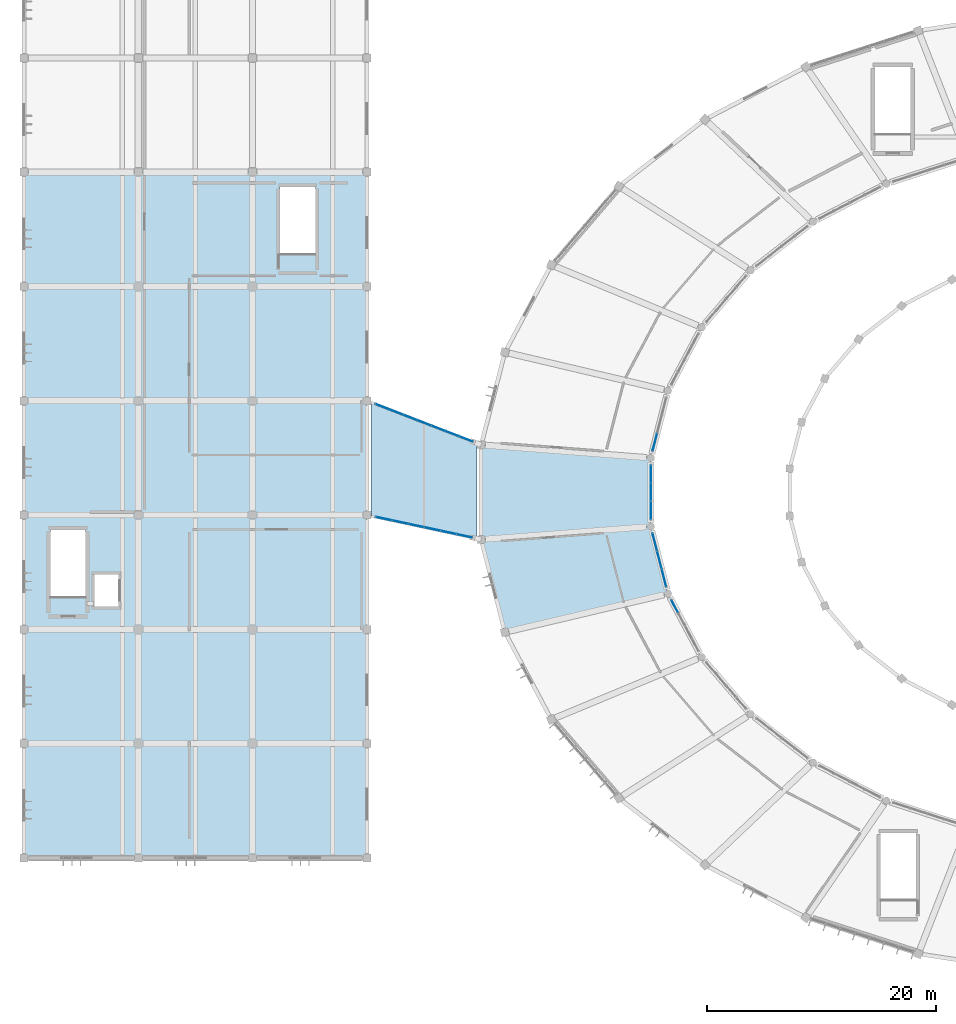
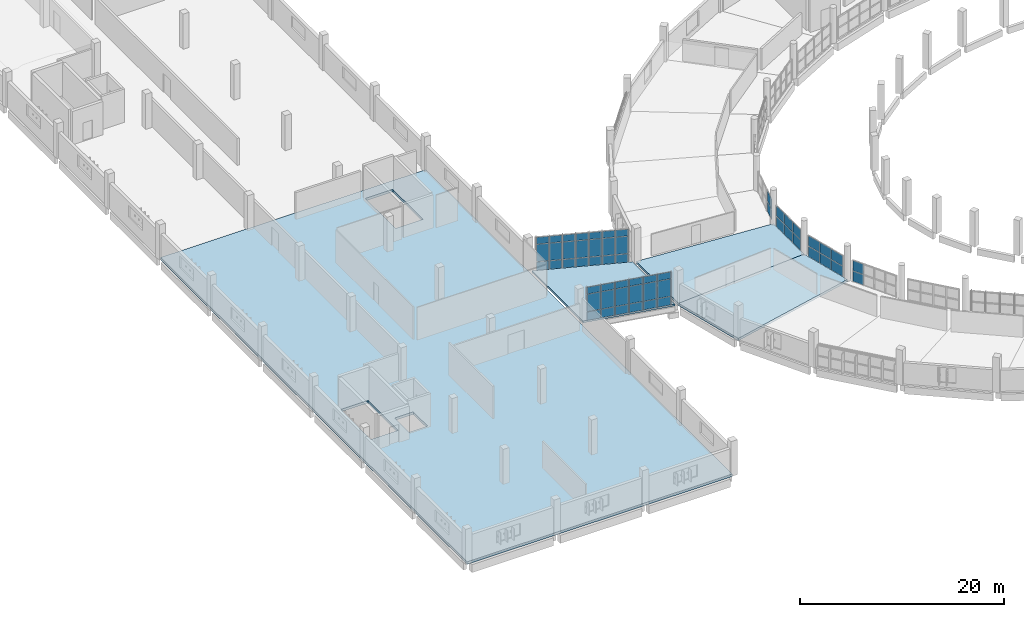
# One storey, part 74 of 142: 55 plates, 4 slabs, 6 elements without a shape of their own.
"""IFC4 building model written with IfcOpenShell, lengths in metres."""

from ifc_helpers import new_model, si_unit, direction, frame, origin, origin_2d, place, context, subcontext, project, spatial, polyline, rectangle, outline, extrude, material, layer, layer_set, type_object, element, aggregate, save


model = new_model("IFC4")

# Units and contexts
model_context = context("Model", 3, precision=1e-05, world=origin(), true_north=direction((0.0, 1.0)))
body_context = subcontext(model_context, "Body", "Model", "MODEL_VIEW")
ifc_project = project(units=[si_unit("LENGTHUNIT", "METRE"), si_unit("AREAUNIT", "SQUARE_METRE"), si_unit("VOLUMEUNIT", "CUBIC_METRE"), si_unit("PLANEANGLEUNIT", "RADIAN"), si_unit("MASSUNIT", "GRAM", prefix="KILO")], contexts=[model_context])

# Site, building, storey
site_placement = place(None, origin())
site = spatial("IfcSite", under=ifc_project, at=site_placement, CompositionType="ELEMENT")
building_placement = place(site_placement, origin())
building = spatial("IfcBuilding", under=site, at=building_placement, Name="Corvandel Quay Wholesale Market", CompositionType="ELEMENT")
storey_placement = place(building_placement, frame((0.0, 0.0, 10.800048828125)))
storey = spatial("IfcBuildingStorey", under=building, at=storey_placement, Name="L02", CompositionType="ELEMENT", Elevation=10.800048828125)

# Curtain wall, plates
ifc_material_1 = material(Name="Bronze anodised aluminium and low-E insulated glazing", Category="aluminium")
ifc_layer_1 = layer(ifc_material_1, 0.162109375)
ifc_layer_set_1 = layer_set([ifc_layer_1], Name="Bronze anodised aluminium and low-E insulated glazing")
curtain_wall_type_1 = type_object("IfcCurtainWallType", Name="Stick Curtain Wall System CW21 H4890", PredefinedType="NOTDEFINED", material=ifc_layer_set_1)
curtain_wall_1_placement = place(storey_placement, origin())
curtain_wall_1 = element("IfcCurtainWall", 1, at=curtain_wall_1_placement, inside=storey, type_object=curtain_wall_type_1, Name="Curtain Wall CW-0174", PredefinedType="NOTDEFINED")
ifc_material_2 = material(Name="Solar-control low-E insulated glazing", Category="glass")
ifc_layer_2 = layer(ifc_material_2, 0.0400390625)
ifc_layer_set_2 = layer_set([ifc_layer_2], Name="Solar-control low-E insulated glazing")
plate_type_1 = type_object("IfcPlateType", Name="Ceramic Fritted Spandrel Panel PN03 40mm", PredefinedType="CURTAIN_PANEL", material=ifc_layer_set_2)
plate_1_placement = place(storey_placement, frame((51.47900390625, 39.683837890625, 3.1474609375), z_axis=(0.0, 0.0, 1.0), x_axis=(-0.977929339831, 0.208935890402, 0.0)))
plate_1 = element("IfcPlate", 2, at=plate_1_placement, type_object=plate_type_1, Name="Glazing Panel CW-0174-P00-2", PredefinedType="CURTAIN_PANEL", context=body_context, shape_type="SweptSolid", body=[
    extrude(rectangle(XDim=1.38525390625, YDim=0.0400390625, at=origin_2d()), origin(), (0.0, 0.0, 1.0), 0.794921875),
])
plate_2_placement = place(storey_placement, frame((52.892333984375, 39.3818359375, 3.1474609375), z_axis=(0.0, 0.0, 1.0), x_axis=(-0.977929339831, 0.208935890402, 0.0)))
plate_2 = element("IfcPlate", 3, at=plate_2_placement, type_object=plate_type_1, Name="Glazing Panel CW-0174-P01-2", PredefinedType="CURTAIN_PANEL", context=body_context, shape_type="SweptSolid", body=[
    extrude(rectangle(XDim=1.38525390625, YDim=0.0400390625, at=origin_2d()), origin(), (0.0, 0.0, 1.0), 0.794921875),
])
plate_3_placement = place(storey_placement, frame((54.3056640625, 39.079833984375, 3.1474609375), z_axis=(0.0, 0.0, 1.0), x_axis=(-0.977929339831, 0.208935890402, 0.0)))
plate_3 = element("IfcPlate", 4, at=plate_3_placement, type_object=plate_type_1, Name="Glazing Panel CW-0174-P02-2", PredefinedType="CURTAIN_PANEL", context=body_context, shape_type="SweptSolid", body=[
    extrude(rectangle(XDim=1.38525390625, YDim=0.0400390625, at=origin_2d()), origin(), (0.0, 0.0, 1.0), 0.794921875),
])
plate_4_placement = place(storey_placement, frame((55.718994140625, 38.77783203125, 3.1474609375), z_axis=(0.0, 0.0, 1.0), x_axis=(-0.977929339831, 0.208935890402, 0.0)))
plate_4 = element("IfcPlate", 5, at=plate_4_placement, type_object=plate_type_1, Name="Glazing Panel CW-0174-P03-2", PredefinedType="CURTAIN_PANEL", context=body_context, shape_type="SweptSolid", body=[
    extrude(rectangle(XDim=1.38525390625, YDim=0.0400390625, at=origin_2d()), origin(), (0.0, 0.0, 1.0), 0.794921875),
])
plate_5_placement = place(storey_placement, frame((57.132080078125, 38.475830078125, 3.1474609375), z_axis=(0.0, 0.0, 1.0), x_axis=(-0.977929339831, 0.208935890402, 0.0)))
plate_5 = element("IfcPlate", 6, at=plate_5_placement, type_object=plate_type_1, Name="Glazing Panel CW-0174-P04-2", PredefinedType="CURTAIN_PANEL", context=body_context, shape_type="SweptSolid", body=[
    extrude(rectangle(XDim=1.38525390625, YDim=0.0400390625, at=origin_2d()), origin(), (0.0, 0.0, 1.0), 0.794921875),
])
plate_6_placement = place(storey_placement, frame((58.54541015625, 38.173828125, 3.1474609375), z_axis=(0.0, 0.0, 1.0), x_axis=(-0.977929339831, 0.208935890402, 0.0)))
plate_6 = element("IfcPlate", 7, at=plate_6_placement, type_object=plate_type_1, Name="Glazing Panel CW-0174-P05-2", PredefinedType="CURTAIN_PANEL", context=body_context, shape_type="SweptSolid", body=[
    extrude(rectangle(XDim=1.38525390625, YDim=0.0400390625, at=origin_2d()), origin(), (0.0, 0.0, 1.0), 0.794921875),
])

ifc_layer_3 = layer(ifc_material_1, 0.174072265625)
ifc_layer_set_3 = layer_set([ifc_layer_3], Name="Bronze anodised aluminium and low-E insulated glazing")
curtain_wall_type_2 = type_object("IfcCurtainWallType", Name="Stick Curtain Wall System CW22 H4980", PredefinedType="NOTDEFINED", material=ifc_layer_set_3)
curtain_wall_2_placement = place(storey_placement, origin())
curtain_wall_2 = element("IfcCurtainWall", 8, at=curtain_wall_2_placement, inside=storey, type_object=curtain_wall_type_2, Name="Curtain Wall CW-0175", PredefinedType="NOTDEFINED")
plate_7_placement = place(storey_placement, frame((51.34765625, 49.4794921875, 3.1474609375), z_axis=(0.0, 0.0, 1.0), x_axis=(-0.932827815397, 0.3603224484, 0.0)))
plate_7 = element("IfcPlate", 9, at=plate_7_placement, type_object=plate_type_1, Name="Glazing Panel CW-0175-P00-2", PredefinedType="CURTAIN_PANEL", context=body_context, shape_type="SweptSolid", body=[
    extrude(rectangle(XDim=1.249267578125, YDim=0.0400390625, at=origin_2d()), origin(), (0.0, 0.0, 1.0), 0.794921875),
])
plate_8_placement = place(storey_placement, frame((52.56884765625, 49.007568359375, 3.1474609375), z_axis=(0.0, 0.0, 1.0), x_axis=(-0.932827815397, 0.3603224484, 0.0)))
plate_8 = element("IfcPlate", 10, at=plate_8_placement, type_object=plate_type_1, Name="Glazing Panel CW-0175-P01-2", PredefinedType="CURTAIN_PANEL", context=body_context, shape_type="SweptSolid", body=[
    extrude(rectangle(XDim=1.249267578125, YDim=0.0400390625, at=origin_2d()), origin(), (0.0, 0.0, 1.0), 0.794921875),
])
plate_9_placement = place(storey_placement, frame((53.790283203125, 48.535888671875, 3.1474609375), z_axis=(0.0, 0.0, 1.0), x_axis=(-0.932827815397, 0.3603224484, 0.0)))
plate_9 = element("IfcPlate", 11, at=plate_9_placement, type_object=plate_type_1, Name="Glazing Panel CW-0175-P02-2", PredefinedType="CURTAIN_PANEL", context=body_context, shape_type="SweptSolid", body=[
    extrude(rectangle(XDim=1.249267578125, YDim=0.0400390625, at=origin_2d()), origin(), (0.0, 0.0, 1.0), 0.794921875),
])
plate_10_placement = place(storey_placement, frame((55.01171875, 48.06396484375, 3.1474609375), z_axis=(0.0, 0.0, 1.0), x_axis=(-0.932827815397, 0.3603224484, 0.0)))
plate_10 = element("IfcPlate", 12, at=plate_10_placement, type_object=plate_type_1, Name="Glazing Panel CW-0175-P03-2", PredefinedType="CURTAIN_PANEL", context=body_context, shape_type="SweptSolid", body=[
    extrude(rectangle(XDim=1.249267578125, YDim=0.0400390625, at=origin_2d()), origin(), (0.0, 0.0, 1.0), 0.794921875),
])
plate_11_placement = place(storey_placement, frame((56.23291015625, 47.59228515625, 3.1474609375), z_axis=(0.0, 0.0, 1.0), x_axis=(-0.932827815397, 0.3603224484, 0.0)))
plate_11 = element("IfcPlate", 13, at=plate_11_placement, type_object=plate_type_1, Name="Glazing Panel CW-0175-P04-2", PredefinedType="CURTAIN_PANEL", context=body_context, shape_type="SweptSolid", body=[
    extrude(rectangle(XDim=1.249267578125, YDim=0.0400390625, at=origin_2d()), origin(), (0.0, 0.0, 1.0), 0.794921875),
])
plate_12_placement = place(storey_placement, frame((57.454345703125, 47.120361328125, 3.1474609375), z_axis=(0.0, 0.0, 1.0), x_axis=(-0.932827815397, 0.3603224484, 0.0)))
plate_12 = element("IfcPlate", 14, at=plate_12_placement, type_object=plate_type_1, Name="Glazing Panel CW-0175-P05-2", PredefinedType="CURTAIN_PANEL", context=body_context, shape_type="SweptSolid", body=[
    extrude(rectangle(XDim=1.249267578125, YDim=0.0400390625, at=origin_2d()), origin(), (0.0, 0.0, 1.0), 0.794921875),
])
plate_13_placement = place(storey_placement, frame((58.67578125, 46.648681640625, 3.1474609375), z_axis=(0.0, 0.0, 1.0), x_axis=(-0.932827815397, 0.3603224484, 0.0)))
plate_13 = element("IfcPlate", 15, at=plate_13_placement, type_object=plate_type_1, Name="Glazing Panel CW-0175-P06-2", PredefinedType="CURTAIN_PANEL", context=body_context, shape_type="SweptSolid", body=[
    extrude(rectangle(XDim=1.249267578125, YDim=0.0400390625, at=origin_2d()), origin(), (0.0, 0.0, 1.0), 0.794921875),
])

# Slabs
ifc_material_3 = material(Name="Precast concrete C45/55", Category="concrete")
ifc_layer_4 = layer(ifc_material_3, 0.219970703125)
ifc_layer_set_4 = layer_set([ifc_layer_4], Name="Precast concrete C45/55")
slab_type_1 = type_object("IfcSlabType", Name="Composite Precast Office Floor Slab 220", PredefinedType="FLOOR", material=ifc_layer_set_4)
slab_1_placement = place(storey_placement, frame((0.0, 0.0, -0.219970703125)))
element("IfcSlab", 16, at=slab_1_placement, inside=storey, type_object=slab_type_1, Name="Slab SLB-0479", PredefinedType="FLOOR", context=body_context, shape_type="SweptSolid", body=[
    extrude(outline(polyline([(50.381103515625, 39.9189453125), (59.64306640625, 37.93896484375), (59.659912109375, 46.26904296875), (50.364013671875, 49.85888671875), (50.381103515625, 39.9189453125)])), origin(), (0.0, 0.0, 1.0), 0.219970703125),
])
ifc_material_4 = material(Name="Concrete C40/50", Category="concrete")
ifc_layer_5 = layer(ifc_material_4, 0.280029296875)
ifc_layer_set_5 = layer_set([ifc_layer_5], Name="Concrete C40/50")
slab_type_2 = type_object("IfcSlabType", Name="Composite Sorting Gallery Floor Slab 280", PredefinedType="FLOOR", material=ifc_layer_set_5)
slab_2_placement = place(storey_placement, frame((0.0, 0.0, -0.280029296875)))
element("IfcSlab", 17, at=slab_2_placement, inside=storey, type_object=slab_type_2, Name="Slab SLB-0081", PredefinedType="FLOOR", context=body_context, shape_type="SweptSolid", body=[
    extrude(outline(polyline([(74.85009765625, 44.9990234375), (74.85009765625, 39.0009765625), (60.0, 37.863037109375), (60.0, 46.136962890625), (74.85009765625, 44.9990234375)])), origin(), (0.0, 0.0, 1.0), 0.280029296875),
])
slab_3_placement = place(storey_placement, frame((0.0, 0.0, -0.280029296875)))
element("IfcSlab", 18, at=slab_3_placement, inside=storey, type_object=slab_type_2, Name="Slab SLB-0085", PredefinedType="FLOOR", context=body_context, shape_type="SweptSolid", body=[
    extrude(outline(polyline([(74.85009765625, 39.0009765625), (76.35498046875, 33.117919921875), (62.074951171875, 29.7490234375), (60.0, 37.863037109375), (74.85009765625, 39.0009765625)])), origin(), (0.0, 0.0, 1.0), 0.280029296875),
])
ifc_layer_6 = layer(ifc_material_4, 0.300048828125)
ifc_layer_set_6 = layer_set([ifc_layer_6], Name="Concrete C40/50")
slab_type_3 = type_object("IfcSlabType", Name="Composite Trading Gallery Floor Slab 300", PredefinedType="FLOOR", material=ifc_layer_set_6)
slab_4_placement = place(storey_placement, frame((0.0, 0.0, -0.300048828125)))
element("IfcSlab", 19, at=slab_4_placement, inside=storey, type_object=slab_type_3, Name="Slab SLB-0456", PredefinedType="FLOOR", context=body_context, shape_type="SweptSolid", body=[
    extrude(outline(polyline([(20.0, 70.0), (50.0, 70.0), (50.0, 10.0), (20.0, 10.0), (20.0, 70.0)]), holes=[polyline([(28.25, 34.800048828125), (26.14990234375, 34.800048828125), (26.14990234375, 32.0), (28.25, 32.0), (28.25, 34.800048828125)]), polyline([(25.39990234375, 32.800048828125), (25.39990234375, 38.699951171875), (22.300048828125, 38.699951171875), (22.300048828125, 32.800048828125), (25.39990234375, 32.800048828125)]), polyline([(45.5, 62.800048828125), (45.5, 68.699951171875), (42.39990234375, 68.699951171875), (42.39990234375, 62.800048828125), (45.5, 62.800048828125)])]), origin(), (0.0, 0.0, 1.0), 0.300048828125),
])

# Curtain wall, plates
ifc_layer_7 = layer(ifc_material_1, 0.18603515625)
ifc_layer_set_7 = layer_set([ifc_layer_7], Name="Bronze anodised aluminium and low-E insulated glazing")
curtain_wall_type_3 = type_object("IfcCurtainWallType", Name="Stick Curtain Wall System CW08 H3720", PredefinedType="NOTDEFINED", material=ifc_layer_set_7)
curtain_wall_3_placement = place(storey_placement, origin())
curtain_wall_3 = element("IfcCurtainWall", 20, at=curtain_wall_3_placement, inside=storey, type_object=curtain_wall_type_3, Name="Curtain Wall CW-0045", PredefinedType="NOTDEFINED")
ifc_layer_8 = layer(ifc_material_2, 0.028076171875)
ifc_layer_set_8 = layer_set([ifc_layer_8], Name="Solar-control low-E insulated glazing")
plate_type_2 = type_object("IfcPlateType", Name="Double Low-E Vision Panel PN01 28mm", PredefinedType="CURTAIN_PANEL", material=ifc_layer_set_8)
plate_14_placement = place(storey_placement, frame((75.199951171875, 46.366943359375, 0.02978515625), z_axis=(0.0, 0.0, 1.0), x_axis=(0.247844544316, 0.968799815159, 0.0)))
plate_14 = element("IfcPlate", 21, at=plate_14_placement, type_object=plate_type_2, Name="Glazing Panel CW-0045-P02-0", PredefinedType="CURTAIN_PANEL", context=body_context, shape_type="SweptSolid", body=[
    extrude(rectangle(XDim=1.55908203125, YDim=0.028076171875, at=origin_2d()), origin(), (0.0, 0.0, 1.0), 1.215087890625),
])
plate_15_placement = place(storey_placement, frame((75.199951171875, 46.366943359375, 1.3046875), z_axis=(0.0, 0.0, 1.0), x_axis=(0.247844544316, 0.968799815159, 0.0)))
plate_15 = element("IfcPlate", 22, at=plate_15_placement, type_object=plate_type_2, Name="Glazing Panel CW-0045-P02-1", PredefinedType="CURTAIN_PANEL", context=body_context, shape_type="SweptSolid", body=[
    extrude(rectangle(XDim=1.55908203125, YDim=0.028076171875, at=origin_2d()), origin(), (0.0, 0.0, 1.0), 1.215087890625),
])
aggregate(curtain_wall_3, [plate_14, plate_15])

ifc_layer_9 = layer(ifc_material_1, 0.197998046875)
ifc_layer_set_9 = layer_set([ifc_layer_9], Name="Bronze anodised aluminium and low-E insulated glazing")
curtain_wall_type_4 = type_object("IfcCurtainWallType", Name="Stick Curtain Wall System CW09 H3810", PredefinedType="NOTDEFINED", material=ifc_layer_set_9)
curtain_wall_4_placement = place(storey_placement, origin())
curtain_wall_4 = element("IfcCurtainWall", 23, at=curtain_wall_4_placement, inside=storey, type_object=curtain_wall_type_4, Name="Curtain Wall CW-0047", PredefinedType="NOTDEFINED")
plate_16_placement = place(storey_placement, frame((74.85009765625, 43.599365234375, 0.02978515625), z_axis=(0.0, 0.0, 1.0), x_axis=(0.0, 1.0, 0.0)))
plate_16 = element("IfcPlate", 24, at=plate_16_placement, type_object=plate_type_2, Name="Glazing Panel CW-0047-P00-0", PredefinedType="CURTAIN_PANEL", context=body_context, shape_type="SweptSolid", body=[
    extrude(rectangle(XDim=1.5341796875, YDim=0.028076171875, at=origin_2d()), origin(), (0.0, 0.0, 1.0), 1.215087890625),
])
plate_17_placement = place(storey_placement, frame((74.85009765625, 43.599365234375, 1.3046875), z_axis=(0.0, 0.0, 1.0), x_axis=(0.0, 1.0, 0.0)))
plate_17 = element("IfcPlate", 25, at=plate_17_placement, type_object=plate_type_2, Name="Glazing Panel CW-0047-P00-1", PredefinedType="CURTAIN_PANEL", context=body_context, shape_type="SweptSolid", body=[
    extrude(rectangle(XDim=1.5341796875, YDim=0.028076171875, at=origin_2d()), origin(), (0.0, 0.0, 1.0), 1.215087890625),
])
plate_18_placement = place(storey_placement, frame((74.85009765625, 42.0, 0.02978515625), z_axis=(0.0, 0.0, 1.0), x_axis=(0.0, 1.0, 0.0)))
plate_18 = element("IfcPlate", 26, at=plate_18_placement, type_object=plate_type_2, Name="Glazing Panel CW-0047-P01-0", PredefinedType="CURTAIN_PANEL", context=body_context, shape_type="SweptSolid", body=[
    extrude(rectangle(XDim=1.5341796875, YDim=0.028076171875, at=origin_2d()), origin(), (0.0, 0.0, 1.0), 1.215087890625),
])
plate_19_placement = place(storey_placement, frame((74.85009765625, 42.0, 1.3046875), z_axis=(0.0, 0.0, 1.0), x_axis=(0.0, 1.0, 0.0)))
plate_19 = element("IfcPlate", 27, at=plate_19_placement, type_object=plate_type_2, Name="Glazing Panel CW-0047-P01-1", PredefinedType="CURTAIN_PANEL", context=body_context, shape_type="SweptSolid", body=[
    extrude(rectangle(XDim=1.5341796875, YDim=0.028076171875, at=origin_2d()), origin(), (0.0, 0.0, 1.0), 1.215087890625),
])
plate_20_placement = place(storey_placement, frame((74.85009765625, 40.400634765625, 0.02978515625), z_axis=(0.0, 0.0, 1.0), x_axis=(0.0, 1.0, 0.0)))
plate_20 = element("IfcPlate", 28, at=plate_20_placement, type_object=plate_type_2, Name="Glazing Panel CW-0047-P02-0", PredefinedType="CURTAIN_PANEL", context=body_context, shape_type="SweptSolid", body=[
    extrude(rectangle(XDim=1.5341796875, YDim=0.028076171875, at=origin_2d()), origin(), (0.0, 0.0, 1.0), 1.215087890625),
])
plate_21_placement = place(storey_placement, frame((74.85009765625, 40.400634765625, 1.3046875), z_axis=(0.0, 0.0, 1.0), x_axis=(0.0, 1.0, 0.0)))
plate_21 = element("IfcPlate", 29, at=plate_21_placement, type_object=plate_type_2, Name="Glazing Panel CW-0047-P02-1", PredefinedType="CURTAIN_PANEL", context=body_context, shape_type="SweptSolid", body=[
    extrude(rectangle(XDim=1.5341796875, YDim=0.028076171875, at=origin_2d()), origin(), (0.0, 0.0, 1.0), 1.215087890625),
])
aggregate(curtain_wall_4, [plate_16, plate_17, plate_18, plate_19, plate_20, plate_21])

ifc_layer_10 = layer(ifc_material_1, 0.14990234375)
ifc_layer_set_10 = layer_set([ifc_layer_10], Name="Bronze anodised aluminium and low-E insulated glazing")
curtain_wall_type_5 = type_object("IfcCurtainWallType", Name="Stick Curtain Wall System CW10 H3900", PredefinedType="NOTDEFINED", material=ifc_layer_set_10)
curtain_wall_5_placement = place(storey_placement, origin())
curtain_wall_5 = element("IfcCurtainWall", 30, at=curtain_wall_5_placement, inside=storey, type_object=curtain_wall_type_5, Name="Curtain Wall CW-0050", PredefinedType="NOTDEFINED")
plate_22_placement = place(storey_placement, frame((75.199951171875, 37.633056640625, 0.02978515625), z_axis=(0.0, 0.0, 1.0), x_axis=(-0.247844544316, 0.968799815159, 0.0)))
plate_22 = element("IfcPlate", 31, at=plate_22_placement, type_object=plate_type_2, Name="Glazing Panel CW-0050-P00-0", PredefinedType="CURTAIN_PANEL", context=body_context, shape_type="SweptSolid", body=[
    extrude(rectangle(XDim=1.55908203125, YDim=0.028076171875, at=origin_2d()), origin(), (0.0, 0.0, 1.0), 1.215087890625),
])
plate_23_placement = place(storey_placement, frame((75.199951171875, 37.633056640625, 1.3046875), z_axis=(0.0, 0.0, 1.0), x_axis=(-0.247844544316, 0.968799815159, 0.0)))
plate_23 = element("IfcPlate", 32, at=plate_23_placement, type_object=plate_type_2, Name="Glazing Panel CW-0050-P00-1", PredefinedType="CURTAIN_PANEL", context=body_context, shape_type="SweptSolid", body=[
    extrude(rectangle(XDim=1.55908203125, YDim=0.028076171875, at=origin_2d()), origin(), (0.0, 0.0, 1.0), 1.215087890625),
])
plate_24_placement = place(storey_placement, frame((75.6025390625, 36.0595703125, 0.02978515625), z_axis=(0.0, 0.0, 1.0), x_axis=(-0.247844544316, 0.968799815159, 0.0)))
plate_24 = element("IfcPlate", 33, at=plate_24_placement, type_object=plate_type_2, Name="Glazing Panel CW-0050-P01-0", PredefinedType="CURTAIN_PANEL", context=body_context, shape_type="SweptSolid", body=[
    extrude(rectangle(XDim=1.55908203125, YDim=0.028076171875, at=origin_2d()), origin(), (0.0, 0.0, 1.0), 1.215087890625),
])
plate_25_placement = place(storey_placement, frame((75.6025390625, 36.0595703125, 1.3046875), z_axis=(0.0, 0.0, 1.0), x_axis=(-0.247844544316, 0.968799815159, 0.0)))
plate_25 = element("IfcPlate", 34, at=plate_25_placement, type_object=plate_type_2, Name="Glazing Panel CW-0050-P01-1", PredefinedType="CURTAIN_PANEL", context=body_context, shape_type="SweptSolid", body=[
    extrude(rectangle(XDim=1.55908203125, YDim=0.028076171875, at=origin_2d()), origin(), (0.0, 0.0, 1.0), 1.215087890625),
])
plate_26_placement = place(storey_placement, frame((76.0048828125, 34.486083984375, 0.02978515625), z_axis=(0.0, 0.0, 1.0), x_axis=(-0.247844544316, 0.968799815159, 0.0)))
plate_26 = element("IfcPlate", 35, at=plate_26_placement, type_object=plate_type_2, Name="Glazing Panel CW-0050-P02-0", PredefinedType="CURTAIN_PANEL", context=body_context, shape_type="SweptSolid", body=[
    extrude(rectangle(XDim=1.55908203125, YDim=0.028076171875, at=origin_2d()), origin(), (0.0, 0.0, 1.0), 1.215087890625),
])
plate_27_placement = place(storey_placement, frame((76.0048828125, 34.486083984375, 1.3046875), z_axis=(0.0, 0.0, 1.0), x_axis=(-0.247844544316, 0.968799815159, 0.0)))
plate_27 = element("IfcPlate", 36, at=plate_27_placement, type_object=plate_type_2, Name="Glazing Panel CW-0050-P02-1", PredefinedType="CURTAIN_PANEL", context=body_context, shape_type="SweptSolid", body=[
    extrude(rectangle(XDim=1.55908203125, YDim=0.028076171875, at=origin_2d()), origin(), (0.0, 0.0, 1.0), 1.215087890625),
])
aggregate(curtain_wall_5, [plate_22, plate_23, plate_24, plate_25, plate_26, plate_27])

ifc_layer_11 = layer(ifc_material_1, 0.162109375)
ifc_layer_set_11 = layer_set([ifc_layer_11], Name="Bronze anodised aluminium and low-E insulated glazing")
curtain_wall_type_6 = type_object("IfcCurtainWallType", Name="Stick Curtain Wall System CW11 H3990", PredefinedType="NOTDEFINED", material=ifc_layer_set_11)
curtain_wall_6_placement = place(storey_placement, origin())
curtain_wall_6 = element("IfcCurtainWall", 37, at=curtain_wall_6_placement, inside=storey, type_object=curtain_wall_type_6, Name="Curtain Wall CW-0052", PredefinedType="NOTDEFINED")
plate_28_placement = place(storey_placement, frame((76.935302734375, 32.0283203125, 0.02978515625), z_axis=(0.0, 0.0, 1.0), x_axis=(-0.470087862033, 0.882619624736, 0.0)))
plate_28 = element("IfcPlate", 38, at=plate_28_placement, type_object=plate_type_2, Name="Glazing Panel CW-0052-P00-0", PredefinedType="CURTAIN_PANEL", context=body_context, shape_type="SweptSolid", body=[
    extrude(rectangle(XDim=1.20458984375, YDim=0.028076171875, at=origin_2d()), origin(), (0.0, 0.0, 1.0), 1.215087890625),
])
plate_29_placement = place(storey_placement, frame((76.935302734375, 32.0283203125, 1.3046875), z_axis=(0.0, 0.0, 1.0), x_axis=(-0.470087862033, 0.882619624736, 0.0)))
plate_29 = element("IfcPlate", 39, at=plate_29_placement, type_object=plate_type_2, Name="Glazing Panel CW-0052-P00-1", PredefinedType="CURTAIN_PANEL", context=body_context, shape_type="SweptSolid", body=[
    extrude(rectangle(XDim=1.20458984375, YDim=0.028076171875, at=origin_2d()), origin(), (0.0, 0.0, 1.0), 1.215087890625),
])
aggregate(curtain_wall_6, [plate_28, plate_29])

# Plate
plate_30_placement = place(storey_placement, frame((51.47900390625, 39.683837890625, -0.002685546875), z_axis=(0.0, 0.0, 1.0), x_axis=(-0.977929339831, 0.208935890402, 0.0)))
plate_30 = element("IfcPlate", 40, at=plate_30_placement, type_object=plate_type_2, Name="Glazing Panel CW-0174-P00-0", PredefinedType="CURTAIN_PANEL", context=body_context, shape_type="SweptSolid", body=[
    extrude(rectangle(XDim=1.38525390625, YDim=0.028076171875, at=origin_2d()), origin(), (0.0, 0.0, 1.0), 0.9951171875),
])

plate_31_placement = place(storey_placement, frame((51.47900390625, 39.683837890625, 1.047607421875), z_axis=(0.0, 0.0, 1.0), x_axis=(-0.977929339831, 0.208935890402, 0.0)))
plate_31 = element("IfcPlate", 41, at=plate_31_placement, type_object=plate_type_2, Name="Glazing Panel CW-0174-P00-1", PredefinedType="CURTAIN_PANEL", context=body_context, shape_type="SweptSolid", body=[
    extrude(rectangle(XDim=1.38525390625, YDim=0.028076171875, at=origin_2d()), origin(), (0.0, 0.0, 1.0), 2.044921875),
])

plate_32_placement = place(storey_placement, frame((52.892333984375, 39.3818359375, -0.002685546875), z_axis=(0.0, 0.0, 1.0), x_axis=(-0.977929339831, 0.208935890402, 0.0)))
plate_32 = element("IfcPlate", 42, at=plate_32_placement, type_object=plate_type_2, Name="Glazing Panel CW-0174-P01-0", PredefinedType="CURTAIN_PANEL", context=body_context, shape_type="SweptSolid", body=[
    extrude(rectangle(XDim=1.38525390625, YDim=0.028076171875, at=origin_2d()), origin(), (0.0, 0.0, 1.0), 0.9951171875),
])

plate_33_placement = place(storey_placement, frame((52.892333984375, 39.3818359375, 1.047607421875), z_axis=(0.0, 0.0, 1.0), x_axis=(-0.977929339831, 0.208935890402, 0.0)))
plate_33 = element("IfcPlate", 43, at=plate_33_placement, type_object=plate_type_2, Name="Glazing Panel CW-0174-P01-1", PredefinedType="CURTAIN_PANEL", context=body_context, shape_type="SweptSolid", body=[
    extrude(rectangle(XDim=1.38525390625, YDim=0.028076171875, at=origin_2d()), origin(), (0.0, 0.0, 1.0), 2.044921875),
])

plate_34_placement = place(storey_placement, frame((54.3056640625, 39.079833984375, -0.002685546875), z_axis=(0.0, 0.0, 1.0), x_axis=(-0.977929339831, 0.208935890402, 0.0)))
plate_34 = element("IfcPlate", 44, at=plate_34_placement, type_object=plate_type_2, Name="Glazing Panel CW-0174-P02-0", PredefinedType="CURTAIN_PANEL", context=body_context, shape_type="SweptSolid", body=[
    extrude(rectangle(XDim=1.38525390625, YDim=0.028076171875, at=origin_2d()), origin(), (0.0, 0.0, 1.0), 0.9951171875),
])

plate_35_placement = place(storey_placement, frame((54.3056640625, 39.079833984375, 1.047607421875), z_axis=(0.0, 0.0, 1.0), x_axis=(-0.977929339831, 0.208935890402, 0.0)))
plate_35 = element("IfcPlate", 45, at=plate_35_placement, type_object=plate_type_2, Name="Glazing Panel CW-0174-P02-1", PredefinedType="CURTAIN_PANEL", context=body_context, shape_type="SweptSolid", body=[
    extrude(rectangle(XDim=1.38525390625, YDim=0.028076171875, at=origin_2d()), origin(), (0.0, 0.0, 1.0), 2.044921875),
])

plate_36_placement = place(storey_placement, frame((55.718994140625, 38.77783203125, -0.002685546875), z_axis=(0.0, 0.0, 1.0), x_axis=(-0.977929339831, 0.208935890402, 0.0)))
plate_36 = element("IfcPlate", 46, at=plate_36_placement, type_object=plate_type_2, Name="Glazing Panel CW-0174-P03-0", PredefinedType="CURTAIN_PANEL", context=body_context, shape_type="SweptSolid", body=[
    extrude(rectangle(XDim=1.38525390625, YDim=0.028076171875, at=origin_2d()), origin(), (0.0, 0.0, 1.0), 0.9951171875),
])

plate_37_placement = place(storey_placement, frame((55.718994140625, 38.77783203125, 1.047607421875), z_axis=(0.0, 0.0, 1.0), x_axis=(-0.977929339831, 0.208935890402, 0.0)))
plate_37 = element("IfcPlate", 47, at=plate_37_placement, type_object=plate_type_2, Name="Glazing Panel CW-0174-P03-1", PredefinedType="CURTAIN_PANEL", context=body_context, shape_type="SweptSolid", body=[
    extrude(rectangle(XDim=1.38525390625, YDim=0.028076171875, at=origin_2d()), origin(), (0.0, 0.0, 1.0), 2.044921875),
])

plate_38_placement = place(storey_placement, frame((57.132080078125, 38.475830078125, -0.002685546875), z_axis=(0.0, 0.0, 1.0), x_axis=(-0.977929339831, 0.208935890402, 0.0)))
plate_38 = element("IfcPlate", 48, at=plate_38_placement, type_object=plate_type_2, Name="Glazing Panel CW-0174-P04-0", PredefinedType="CURTAIN_PANEL", context=body_context, shape_type="SweptSolid", body=[
    extrude(rectangle(XDim=1.38525390625, YDim=0.028076171875, at=origin_2d()), origin(), (0.0, 0.0, 1.0), 0.9951171875),
])

plate_39_placement = place(storey_placement, frame((57.132080078125, 38.475830078125, 1.047607421875), z_axis=(0.0, 0.0, 1.0), x_axis=(-0.977929339831, 0.208935890402, 0.0)))
plate_39 = element("IfcPlate", 49, at=plate_39_placement, type_object=plate_type_2, Name="Glazing Panel CW-0174-P04-1", PredefinedType="CURTAIN_PANEL", context=body_context, shape_type="SweptSolid", body=[
    extrude(rectangle(XDim=1.38525390625, YDim=0.028076171875, at=origin_2d()), origin(), (0.0, 0.0, 1.0), 2.044921875),
])

plate_40_placement = place(storey_placement, frame((58.54541015625, 38.173828125, -0.002685546875), z_axis=(0.0, 0.0, 1.0), x_axis=(-0.977929339831, 0.208935890402, 0.0)))
plate_40 = element("IfcPlate", 50, at=plate_40_placement, type_object=plate_type_2, Name="Glazing Panel CW-0174-P05-0", PredefinedType="CURTAIN_PANEL", context=body_context, shape_type="SweptSolid", body=[
    extrude(rectangle(XDim=1.38525390625, YDim=0.028076171875, at=origin_2d()), origin(), (0.0, 0.0, 1.0), 0.9951171875),
])

plate_41_placement = place(storey_placement, frame((58.54541015625, 38.173828125, 1.047607421875), z_axis=(0.0, 0.0, 1.0), x_axis=(-0.977929339831, 0.208935890402, 0.0)))
plate_41 = element("IfcPlate", 51, at=plate_41_placement, type_object=plate_type_2, Name="Glazing Panel CW-0174-P05-1", PredefinedType="CURTAIN_PANEL", context=body_context, shape_type="SweptSolid", body=[
    extrude(rectangle(XDim=1.38525390625, YDim=0.028076171875, at=origin_2d()), origin(), (0.0, 0.0, 1.0), 2.044921875),
])

aggregate(curtain_wall_1, [plate_30, plate_31, plate_1, plate_32, plate_33, plate_2, plate_34, plate_35, plate_3, plate_36, plate_37, plate_4, plate_38, plate_39, plate_5, plate_40, plate_41, plate_6])

plate_42_placement = place(storey_placement, frame((51.34765625, 49.4794921875, -0.002685546875), z_axis=(0.0, 0.0, 1.0), x_axis=(-0.932827815397, 0.3603224484, 0.0)))
plate_42 = element("IfcPlate", 52, at=plate_42_placement, type_object=plate_type_2, Name="Glazing Panel CW-0175-P00-0", PredefinedType="CURTAIN_PANEL", context=body_context, shape_type="SweptSolid", body=[
    extrude(rectangle(XDim=1.249267578125, YDim=0.028076171875, at=origin_2d()), origin(), (0.0, 0.0, 1.0), 0.9951171875),
])

plate_43_placement = place(storey_placement, frame((51.34765625, 49.4794921875, 1.047607421875), z_axis=(0.0, 0.0, 1.0), x_axis=(-0.932827815397, 0.3603224484, 0.0)))
plate_43 = element("IfcPlate", 53, at=plate_43_placement, type_object=plate_type_2, Name="Glazing Panel CW-0175-P00-1", PredefinedType="CURTAIN_PANEL", context=body_context, shape_type="SweptSolid", body=[
    extrude(rectangle(XDim=1.249267578125, YDim=0.028076171875, at=origin_2d()), origin(), (0.0, 0.0, 1.0), 2.044921875),
])

plate_44_placement = place(storey_placement, frame((52.56884765625, 49.007568359375, -0.002685546875), z_axis=(0.0, 0.0, 1.0), x_axis=(-0.932827815397, 0.3603224484, 0.0)))
plate_44 = element("IfcPlate", 54, at=plate_44_placement, type_object=plate_type_2, Name="Glazing Panel CW-0175-P01-0", PredefinedType="CURTAIN_PANEL", context=body_context, shape_type="SweptSolid", body=[
    extrude(rectangle(XDim=1.249267578125, YDim=0.028076171875, at=origin_2d()), origin(), (0.0, 0.0, 1.0), 0.9951171875),
])

plate_45_placement = place(storey_placement, frame((52.56884765625, 49.007568359375, 1.047607421875), z_axis=(0.0, 0.0, 1.0), x_axis=(-0.932827815397, 0.3603224484, 0.0)))
plate_45 = element("IfcPlate", 55, at=plate_45_placement, type_object=plate_type_2, Name="Glazing Panel CW-0175-P01-1", PredefinedType="CURTAIN_PANEL", context=body_context, shape_type="SweptSolid", body=[
    extrude(rectangle(XDim=1.249267578125, YDim=0.028076171875, at=origin_2d()), origin(), (0.0, 0.0, 1.0), 2.044921875),
])

plate_46_placement = place(storey_placement, frame((53.790283203125, 48.535888671875, -0.002685546875), z_axis=(0.0, 0.0, 1.0), x_axis=(-0.932827815397, 0.3603224484, 0.0)))
plate_46 = element("IfcPlate", 56, at=plate_46_placement, type_object=plate_type_2, Name="Glazing Panel CW-0175-P02-0", PredefinedType="CURTAIN_PANEL", context=body_context, shape_type="SweptSolid", body=[
    extrude(rectangle(XDim=1.249267578125, YDim=0.028076171875, at=origin_2d()), origin(), (0.0, 0.0, 1.0), 0.9951171875),
])

plate_47_placement = place(storey_placement, frame((53.790283203125, 48.535888671875, 1.047607421875), z_axis=(0.0, 0.0, 1.0), x_axis=(-0.932827815397, 0.3603224484, 0.0)))
plate_47 = element("IfcPlate", 57, at=plate_47_placement, type_object=plate_type_2, Name="Glazing Panel CW-0175-P02-1", PredefinedType="CURTAIN_PANEL", context=body_context, shape_type="SweptSolid", body=[
    extrude(rectangle(XDim=1.249267578125, YDim=0.028076171875, at=origin_2d()), origin(), (0.0, 0.0, 1.0), 2.044921875),
])

plate_48_placement = place(storey_placement, frame((55.01171875, 48.06396484375, -0.002685546875), z_axis=(0.0, 0.0, 1.0), x_axis=(-0.932827815397, 0.3603224484, 0.0)))
plate_48 = element("IfcPlate", 58, at=plate_48_placement, type_object=plate_type_2, Name="Glazing Panel CW-0175-P03-0", PredefinedType="CURTAIN_PANEL", context=body_context, shape_type="SweptSolid", body=[
    extrude(rectangle(XDim=1.249267578125, YDim=0.028076171875, at=origin_2d()), origin(), (0.0, 0.0, 1.0), 0.9951171875),
])

plate_49_placement = place(storey_placement, frame((55.01171875, 48.06396484375, 1.047607421875), z_axis=(0.0, 0.0, 1.0), x_axis=(-0.932827815397, 0.3603224484, 0.0)))
plate_49 = element("IfcPlate", 59, at=plate_49_placement, type_object=plate_type_2, Name="Glazing Panel CW-0175-P03-1", PredefinedType="CURTAIN_PANEL", context=body_context, shape_type="SweptSolid", body=[
    extrude(rectangle(XDim=1.249267578125, YDim=0.028076171875, at=origin_2d()), origin(), (0.0, 0.0, 1.0), 2.044921875),
])

plate_50_placement = place(storey_placement, frame((56.23291015625, 47.59228515625, -0.002685546875), z_axis=(0.0, 0.0, 1.0), x_axis=(-0.932827815397, 0.3603224484, 0.0)))
plate_50 = element("IfcPlate", 60, at=plate_50_placement, type_object=plate_type_2, Name="Glazing Panel CW-0175-P04-0", PredefinedType="CURTAIN_PANEL", context=body_context, shape_type="SweptSolid", body=[
    extrude(rectangle(XDim=1.249267578125, YDim=0.028076171875, at=origin_2d()), origin(), (0.0, 0.0, 1.0), 0.9951171875),
])

plate_51_placement = place(storey_placement, frame((56.23291015625, 47.59228515625, 1.047607421875), z_axis=(0.0, 0.0, 1.0), x_axis=(-0.932827815397, 0.3603224484, 0.0)))
plate_51 = element("IfcPlate", 61, at=plate_51_placement, type_object=plate_type_2, Name="Glazing Panel CW-0175-P04-1", PredefinedType="CURTAIN_PANEL", context=body_context, shape_type="SweptSolid", body=[
    extrude(rectangle(XDim=1.249267578125, YDim=0.028076171875, at=origin_2d()), origin(), (0.0, 0.0, 1.0), 2.044921875),
])

plate_52_placement = place(storey_placement, frame((57.454345703125, 47.120361328125, -0.002685546875), z_axis=(0.0, 0.0, 1.0), x_axis=(-0.932827815397, 0.3603224484, 0.0)))
plate_52 = element("IfcPlate", 62, at=plate_52_placement, type_object=plate_type_2, Name="Glazing Panel CW-0175-P05-0", PredefinedType="CURTAIN_PANEL", context=body_context, shape_type="SweptSolid", body=[
    extrude(rectangle(XDim=1.249267578125, YDim=0.028076171875, at=origin_2d()), origin(), (0.0, 0.0, 1.0), 0.9951171875),
])

plate_53_placement = place(storey_placement, frame((57.454345703125, 47.120361328125, 1.047607421875), z_axis=(0.0, 0.0, 1.0), x_axis=(-0.932827815397, 0.3603224484, 0.0)))
plate_53 = element("IfcPlate", 63, at=plate_53_placement, type_object=plate_type_2, Name="Glazing Panel CW-0175-P05-1", PredefinedType="CURTAIN_PANEL", context=body_context, shape_type="SweptSolid", body=[
    extrude(rectangle(XDim=1.249267578125, YDim=0.028076171875, at=origin_2d()), origin(), (0.0, 0.0, 1.0), 2.044921875),
])

plate_54_placement = place(storey_placement, frame((58.67578125, 46.648681640625, -0.002685546875), z_axis=(0.0, 0.0, 1.0), x_axis=(-0.932827815397, 0.3603224484, 0.0)))
plate_54 = element("IfcPlate", 64, at=plate_54_placement, type_object=plate_type_2, Name="Glazing Panel CW-0175-P06-0", PredefinedType="CURTAIN_PANEL", context=body_context, shape_type="SweptSolid", body=[
    extrude(rectangle(XDim=1.249267578125, YDim=0.028076171875, at=origin_2d()), origin(), (0.0, 0.0, 1.0), 0.9951171875),
])

plate_55_placement = place(storey_placement, frame((58.67578125, 46.648681640625, 1.047607421875), z_axis=(0.0, 0.0, 1.0), x_axis=(-0.932827815397, 0.3603224484, 0.0)))
plate_55 = element("IfcPlate", 65, at=plate_55_placement, type_object=plate_type_2, Name="Glazing Panel CW-0175-P06-1", PredefinedType="CURTAIN_PANEL", context=body_context, shape_type="SweptSolid", body=[
    extrude(rectangle(XDim=1.249267578125, YDim=0.028076171875, at=origin_2d()), origin(), (0.0, 0.0, 1.0), 2.044921875),
])

aggregate(curtain_wall_2, [plate_42, plate_43, plate_7, plate_44, plate_45, plate_8, plate_46, plate_47, plate_9, plate_48, plate_49, plate_10, plate_50, plate_51, plate_11, plate_52, plate_53, plate_12, plate_54, plate_55, plate_13])

save(model, "model.ifc")
